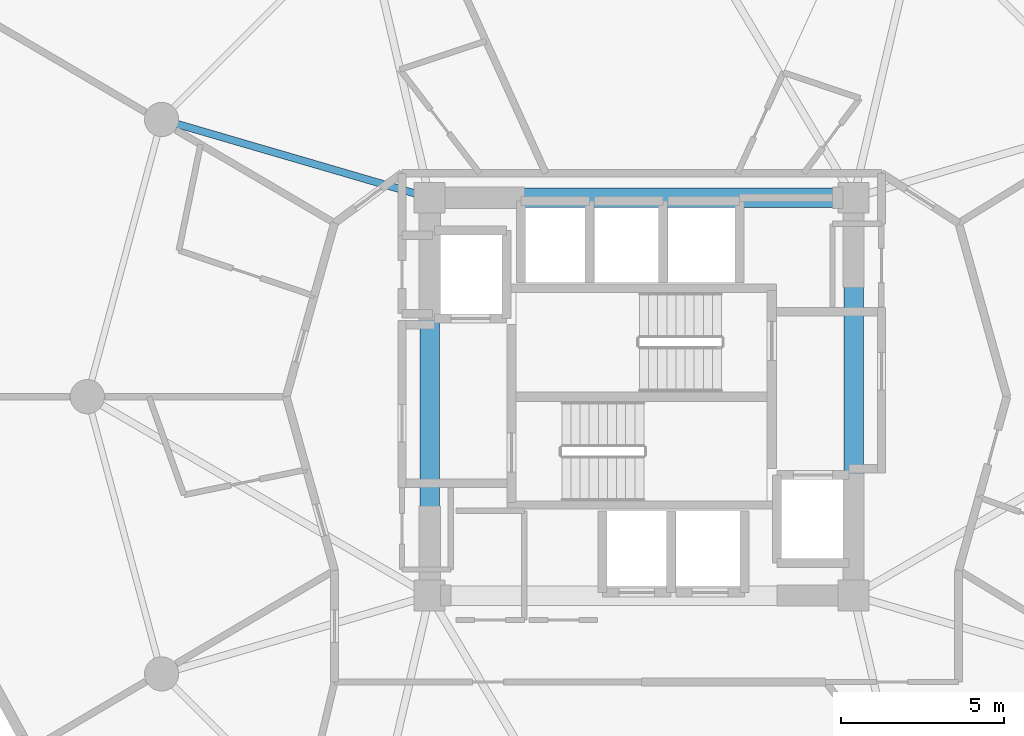
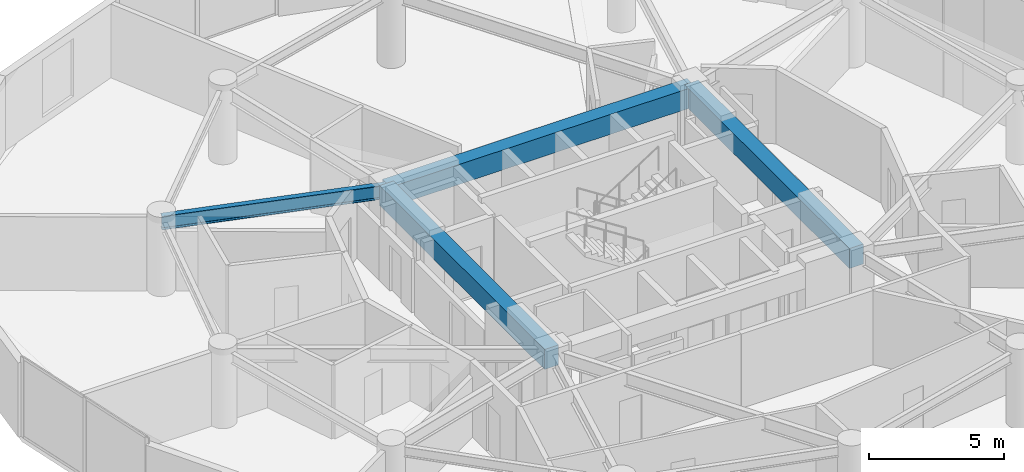
# One storey, part 9 of 25: 4 beams.
"""IFC4 building model written with IfcOpenShell, lengths in metres."""

from ifc_helpers import new_model, si_unit, direction, frame, origin, origin_2d, place, context, subcontext, project, spatial, rectangle, i_section, extrude, material, material_profile, profile_set, type_object, element, save


model = new_model("IFC4")

# Units and contexts
model_context = context("Model", 3, precision=1e-05, world=origin(), true_north=direction((0.0, 1.0)))
body_context = subcontext(model_context, "Body", "Model", "MODEL_VIEW")
ifc_project = project(units=[si_unit("LENGTHUNIT", "METRE"), si_unit("AREAUNIT", "SQUARE_METRE"), si_unit("VOLUMEUNIT", "CUBIC_METRE"), si_unit("PLANEANGLEUNIT", "RADIAN"), si_unit("MASSUNIT", "GRAM", prefix="KILO")], contexts=[model_context])

# Site, building, storey
site_placement = place(None, origin())
site = spatial("IfcSite", under=ifc_project, at=site_placement, CompositionType="ELEMENT")
building_placement = place(site_placement, origin())
building = spatial("IfcBuilding", under=site, at=building_placement, Name="Solvirekh Grand Hotel", CompositionType="ELEMENT")
storey_placement = place(building_placement, frame((0.0, 0.0, 127.800048828125)))
storey = spatial("IfcBuildingStorey", under=building, at=storey_placement, Name="L32", CompositionType="ELEMENT", Elevation=127.800048828125)

# Beams
ifc_material_1 = material(Name="Concrete C50/60", Category="concrete")
ifc_material_profile_1 = material_profile(ifc_material_1, rectangle(XDim=0.60009765625, YDim=0.89990234375, at=origin_2d()), Name="RC BEAM 600X900")
ifc_profile_set_1 = profile_set([ifc_material_profile_1], Name="Concrete C50/60")
beam_type_1 = type_object("IfcBeamType", Name="Beam_Core_RC900", PredefinedType="BEAM", material=ifc_profile_set_1)
beam_1_placement = place(storey_placement, frame((6.5, -6.10009765625, 2.89990234375), z_axis=(0.0, 1.0, 0.0), x_axis=(-1.0, 0.0, 0.0)))
element("IfcBeam", 1, at=beam_1_placement, inside=storey, type_object=beam_type_1, Name="L32 core coupling ring beam 2", PredefinedType="BEAM", context=body_context, shape_type="SweptSolid", body=[
    extrude(rectangle(XDim=0.60009765625, YDim=0.89990234375, at=origin_2d()), origin(), (0.0, 0.0, 1.0), 12.2001953125),
])
beam_2_placement = place(storey_placement, frame((6.5, 6.10009765625, 2.89990234375), z_axis=(-1.0, 0.0, 0.0), x_axis=(0.0, -1.0, 0.0)))
element("IfcBeam", 2, at=beam_2_placement, inside=storey, type_object=beam_type_1, Name="L32 core coupling ring beam 3", PredefinedType="BEAM", context=body_context, shape_type="SweptSolid", body=[
    extrude(rectangle(XDim=0.60009765625, YDim=0.89990234375, at=origin_2d()), origin(), (0.0, 0.0, 1.0), 13.0),
])
beam_3_placement = place(storey_placement, frame((-6.5, 6.10009765625, 2.89990234375), z_axis=(0.0, -1.0, 0.0), x_axis=(1.0, 0.0, 0.0)))
element("IfcBeam", 3, at=beam_3_placement, inside=storey, type_object=beam_type_1, Name="L32 core coupling ring beam 4", PredefinedType="BEAM", context=body_context, shape_type="SweptSolid", body=[
    extrude(rectangle(XDim=0.60009765625, YDim=0.89990234375, at=origin_2d()), origin(), (0.0, 0.0, 1.0), 12.2001953125),
])
ifc_material_2 = material(Name="Steel S355", Category="steel")
ifc_material_profile_2 = material_profile(ifc_material_2, i_section(OverallWidth=0.22802734375, OverallDepth=0.616943359375, WebThickness=0.012939453125, FlangeThickness=0.02001953125, FilletRadius=0.014892578125, at=origin_2d()), Name="W610X140")
ifc_profile_set_2 = profile_set([ifc_material_profile_2], Name="Steel S355")
beam_type_2 = type_object("IfcBeamType", Name="Beam_Radial_W610", PredefinedType="BEAM", material=ifc_profile_set_2)
beam_4_placement = place(storey_placement, frame((-6.5, 6.10009765625, 3.041015625), z_axis=(-0.959942195467, 0.28019811092, 0.0), x_axis=(-0.28019811092, -0.959942195467, 0.0)))
element("IfcBeam", 4, at=beam_4_placement, inside=storey, type_object=beam_type_2, Name="L32 radial floor beam R06", PredefinedType="BEAM", context=body_context, shape_type="SweptSolid", body=[
    extrude(i_section(OverallWidth=0.22802734375, OverallDepth=0.616943359375, WebThickness=0.012939453125, FlangeThickness=0.02001953125, FilletRadius=0.014892578125, at=origin_2d()), origin(), (0.0, 0.0, 1.0), 8.56494140625),
])

save(model, "model.ifc")
